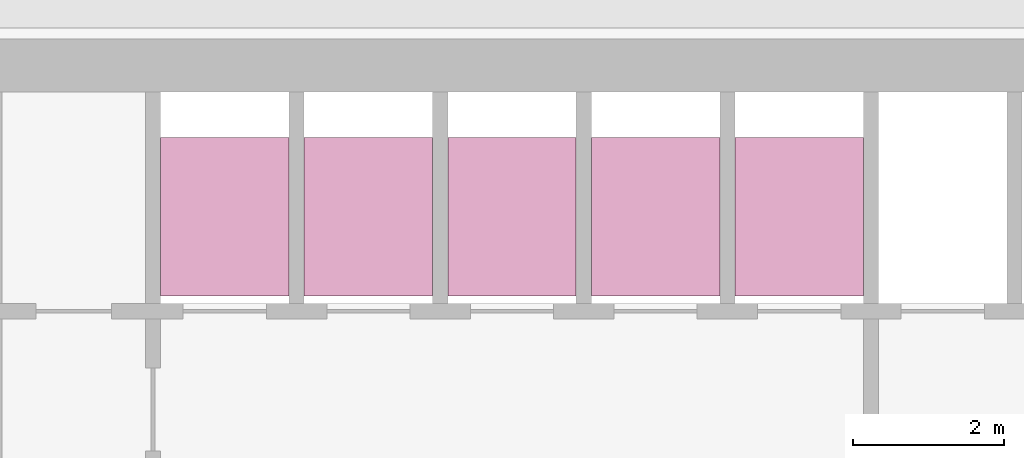
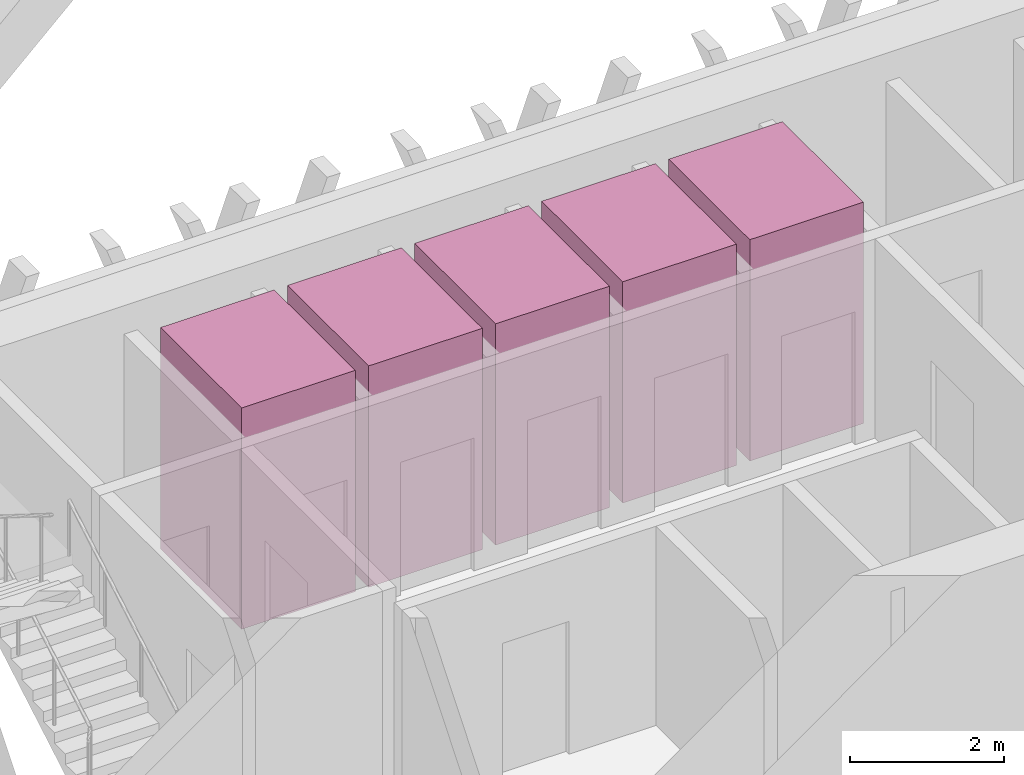
# One storey, part 18 of 18: 5 transport elements.
"""IFC4 building model written with IfcOpenShell, lengths in metres."""

from ifc_helpers import new_model, si_unit, direction, frame, origin, origin_2d, place, context, subcontext, project, spatial, rectangle, extrude, material, type_object, element, save


model = new_model("IFC4")

# Units and contexts
model_context = context("Model", 3, precision=1e-05, world=origin(), true_north=direction((0.0, 1.0)))
body_context = subcontext(model_context, "Body", "Model", "MODEL_VIEW")
ifc_project = project(units=[si_unit("LENGTHUNIT", "METRE"), si_unit("AREAUNIT", "SQUARE_METRE"), si_unit("VOLUMEUNIT", "CUBIC_METRE"), si_unit("PLANEANGLEUNIT", "RADIAN"), si_unit("MASSUNIT", "GRAM", prefix="KILO")], contexts=[model_context])

# Site, building, storey
site_placement = place(None, origin())
site = spatial("IfcSite", under=ifc_project, at=site_placement, CompositionType="ELEMENT")
building_placement = place(site_placement, origin())
building = spatial("IfcBuilding", under=site, at=building_placement, Name="Altiplano Prism Tower", CompositionType="ELEMENT")
storey_placement = place(building_placement, frame((0.0, 0.0, 163.800048828125)))
storey = spatial("IfcBuildingStorey", under=building, at=storey_placement, Name="L42", CompositionType="ELEMENT", Elevation=163.800048828125)

# Transport elements
ifc_material = material(Name="Stainless steel lift car", Category="steel")
transport_element_type = type_object("IfcTransportElementType", Name="Passenger lift car 1600 x 2100", PredefinedType="ELEVATOR", material=ifc_material)
for number, where, z_axis, x_axis, name in (
    (1, (79.050048828125, 101.75, 0.050048828125), (0.0, 0.0, 1.0), (1.0, 0.0, 0.0), "Mid Zone Passenger Lift 1"),
    (2, (80.949951171875, 101.75, 0.050048828125), (0.0, 0.0, 1.0), (1.0, 0.0, 0.0), "Mid Zone Passenger Lift 2"),
    (3, (82.85009765625, 101.75, 0.050048828125), (0.0, 0.0, 1.0), (1.0, 0.0, 0.0), "Mid Zone Passenger Lift 3"),
    (4, (84.75, 101.75, 0.050048828125), (0.0, 0.0, 1.0), (1.0, 0.0, 0.0), "Mid Zone Passenger Lift 4"),
    (5, (86.64990234375, 101.75, 0.050048828125), (0.0, 0.0, 1.0), (1.0, 0.0, 0.0), "Mid Zone Passenger Lift 5"),
):
    element("IfcTransportElement", number, at=place(storey_placement, frame(where, z_axis=z_axis, x_axis=x_axis)), inside=storey, type_object=transport_element_type, Name=name, PredefinedType="ELEVATOR", context=body_context, shape_type="SweptSolid", body=[
        extrude(rectangle(XDim=1.699951171875, YDim=2.10009765625, at=origin_2d()), origin(), (0.0, 0.0, 1.0), 3.5),
    ])

save(model, "model.ifc")
